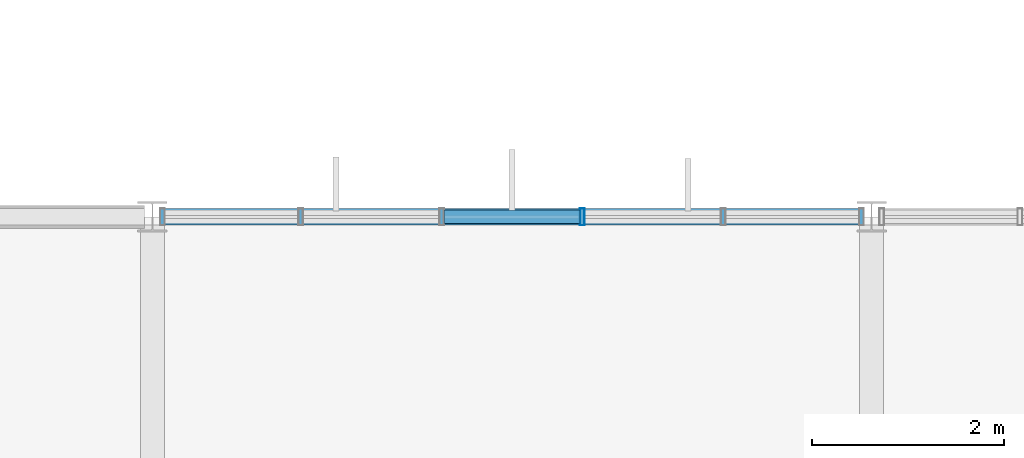
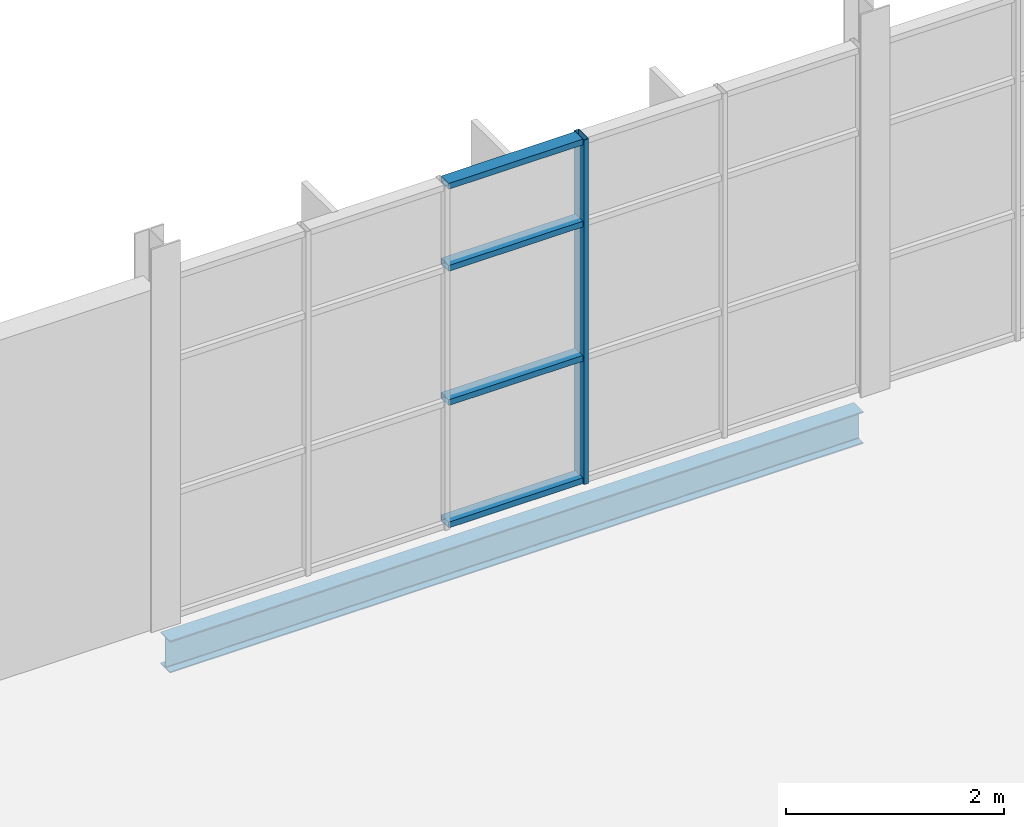
# One storey, part 63 of 324: 5 members, 1 beam, 1 element without a shape of its own.
"""IFC4 building model written with IfcOpenShell, lengths in metres."""

from ifc_helpers import new_model, si_unit, direction, frame, origin, origin_2d, place, context, subcontext, project, spatial, hollow_rectangle, i_section, extrude, material, layer, layer_set, material_profile, profile_set, type_object, element, aggregate, save


model = new_model("IFC4")

# Units and contexts
model_context = context("Model", 3, precision=1e-05, world=origin(), true_north=direction((0.0, 1.0)))
body_context = subcontext(model_context, "Body", "Model", "MODEL_VIEW")
ifc_project = project(units=[si_unit("LENGTHUNIT", "METRE"), si_unit("AREAUNIT", "SQUARE_METRE"), si_unit("VOLUMEUNIT", "CUBIC_METRE"), si_unit("PLANEANGLEUNIT", "RADIAN"), si_unit("MASSUNIT", "GRAM", prefix="KILO")], contexts=[model_context])

# Site, building, storey
site_placement = place(None, origin())
site = spatial("IfcSite", under=ifc_project, at=site_placement, CompositionType="ELEMENT")
building_placement = place(site_placement, origin())
building = spatial("IfcBuilding", under=site, at=building_placement, Name="Solvenia Promenade Tram Depot", CompositionType="ELEMENT")
storey_placement = place(building_placement, frame((0.0, 0.0, 4.5)))
storey = spatial("IfcBuildingStorey", under=building, at=storey_placement, Name="L01", CompositionType="ELEMENT", Elevation=4.5)

# Curtain wall, members
ifc_material_1 = material(Name="Anodized aluminium AW-6063 T6", Category="aluminium")
ifc_layer = layer(ifc_material_1, 0.14990234375, Name="Anodized aluminium AW-6063 T6", Category="aluminium")
ifc_layer_set = layer_set([ifc_layer], Name="Anodized aluminium AW-6063 T6")
curtain_wall_type = type_object("IfcCurtainWallType", Name="CW-Court-1500", PredefinedType="NOTDEFINED", material=ifc_layer_set)
curtain_wall_placement = place(storey_placement, origin())
curtain_wall = element("IfcCurtainWall", 1, at=curtain_wall_placement, inside=storey, type_object=curtain_wall_type, Name="Curtain Wall CW-V4N-L01-11", PredefinedType="NOTDEFINED")
ifc_material_profile_1 = material_profile(ifc_material_1, hollow_rectangle(XDim=0.179931640625, YDim=0.050048828125, WallThickness=0.00390625, at=origin_2d()), Name="ALU-M2", Category="aluminium")
ifc_profile_set_1 = profile_set([ifc_material_profile_1], Name="Anodized aluminium AW-6063 T6")
member_type_1 = type_object("IfcMemberType", Name="CWM-Mullion-2", PredefinedType="MULLION", material=ifc_profile_set_1)
member_1_placement = place(storey_placement, frame((79.48388671875, 24.0, 0.0), z_axis=(0.0, 0.0, 1.0), x_axis=(0.0, 1.0, 0.0)))
member_1 = element("IfcMember", 2, at=member_1_placement, type_object=member_type_1, Name="CW-5 mullion 4", PredefinedType="MULLION", context=body_context, shape_type="SweptSolid", body=[
    extrude(hollow_rectangle(XDim=0.179931640625, YDim=0.050048828125, WallThickness=0.00390625, at=origin_2d()), origin(), (0.0, 0.0, 1.0), 3.85009765625),
])
ifc_material_profile_2 = material_profile(ifc_material_1, hollow_rectangle(XDim=0.139892578125, YDim=0.06494140625, WallThickness=0.00390625, at=origin_2d()), Name="ALU-T2", Category="aluminium")
ifc_profile_set_2 = profile_set([ifc_material_profile_2], Name="Anodized aluminium AW-6063 T6")
member_type_2 = type_object("IfcMemberType", Name="CWT-Transom-2", PredefinedType="USERDEFINED", material=ifc_profile_set_2)
member_2_placement = place(storey_placement, frame((78.041015625, 24.0, 0.032470703125), z_axis=(1.0, 0.0, 0.0), x_axis=(0.0, 1.0, 0.0)))
member_2 = element("IfcMember", 3, at=member_2_placement, type_object=member_type_2, Name="CW-5 transom 3.1", ObjectType="TRANSOM", PredefinedType="USERDEFINED", context=body_context, shape_type="SweptSolid", body=[
    extrude(hollow_rectangle(XDim=0.139892578125, YDim=0.06494140625, WallThickness=0.00390625, at=origin_2d()), origin(), (0.0, 0.0, 1.0), 1.41796875),
])
member_3_placement = place(storey_placement, frame((78.041015625, 24.0, 1.39990234375), z_axis=(1.0, 0.0, 0.0), x_axis=(0.0, 1.0, 0.0)))
member_3 = element("IfcMember", 4, at=member_3_placement, type_object=member_type_2, Name="CW-5 transom 3.2", ObjectType="TRANSOM", PredefinedType="USERDEFINED", context=body_context, shape_type="SweptSolid", body=[
    extrude(hollow_rectangle(XDim=0.139892578125, YDim=0.06494140625, WallThickness=0.00390625, at=origin_2d()), origin(), (0.0, 0.0, 1.0), 1.41796875),
])
member_4_placement = place(storey_placement, frame((78.041015625, 24.0, 2.89990234375), z_axis=(1.0, 0.0, 0.0), x_axis=(0.0, 1.0, 0.0)))
member_4 = element("IfcMember", 5, at=member_4_placement, type_object=member_type_2, Name="CW-5 transom 3.3", ObjectType="TRANSOM", PredefinedType="USERDEFINED", context=body_context, shape_type="SweptSolid", body=[
    extrude(hollow_rectangle(XDim=0.139892578125, YDim=0.06494140625, WallThickness=0.00390625, at=origin_2d()), origin(), (0.0, 0.0, 1.0), 1.41796875),
])
member_5_placement = place(storey_placement, frame((78.041015625, 24.0, 3.8173828125), z_axis=(1.0, 0.0, 0.0), x_axis=(0.0, 1.0, 0.0)))
member_5 = element("IfcMember", 6, at=member_5_placement, type_object=member_type_2, Name="CW-5 transom 3.4", ObjectType="TRANSOM", PredefinedType="USERDEFINED", context=body_context, shape_type="SweptSolid", body=[
    extrude(hollow_rectangle(XDim=0.139892578125, YDim=0.06494140625, WallThickness=0.00390625, at=origin_2d()), origin(), (0.0, 0.0, 1.0), 1.41796875),
])
aggregate(curtain_wall, [member_1, member_2, member_3, member_4, member_5])

# Beam
ifc_material_2 = material(Name="Structural steel ASTM A992 Gr. 50", Category="steel")
ifc_material_profile_3 = material_profile(ifc_material_2, i_section(OverallWidth=0.172119140625, OverallDepth=0.35791015625, WebThickness=0.0078125, FlangeThickness=0.01318359375, FilletRadius=0.010986328125, at=origin_2d()), Name="W360x57", Category="steel")
ifc_profile_set_3 = profile_set([ifc_material_profile_3], Name="Structural steel ASTM A992 Gr. 50")
beam_type = type_object("IfcBeamType", Name="Spandrel-W360x57", PredefinedType="SPANDREL", material=ifc_profile_set_3)
beam_placement = place(storey_placement, frame((75.0849609375, 24.0, -0.39892578125), z_axis=(1.0, 0.0, 0.0), x_axis=(0.0, 1.0, 0.0)))
element("IfcBeam", 7, at=beam_placement, inside=storey, type_object=beam_type, Name="Perimeter Spandrel BM-L01-0328", PredefinedType="SPANDREL", context=body_context, shape_type="SweptSolid", body=[
    extrude(i_section(OverallWidth=0.172119140625, OverallDepth=0.35791015625, WebThickness=0.0078125, FlangeThickness=0.01318359375, FilletRadius=0.010986328125, at=origin_2d()), origin(), (0.0, 0.0, 1.0), 7.330078125),
])

save(model, "model.ifc")
